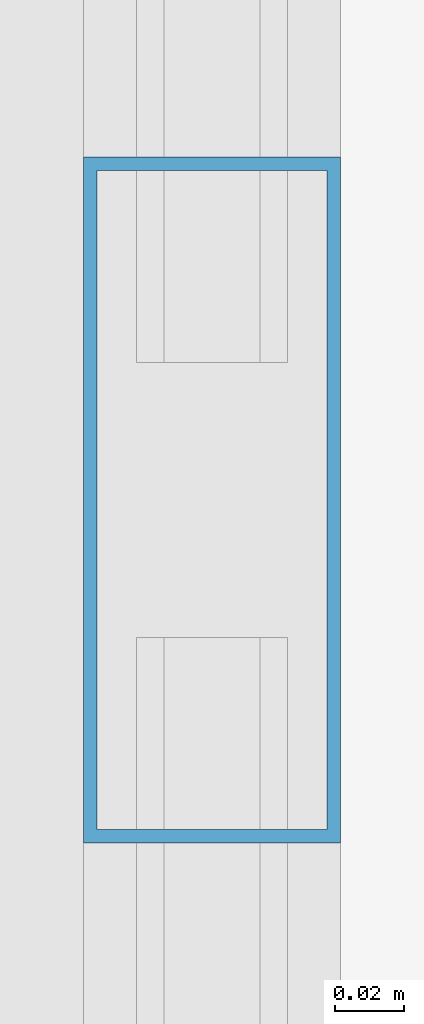
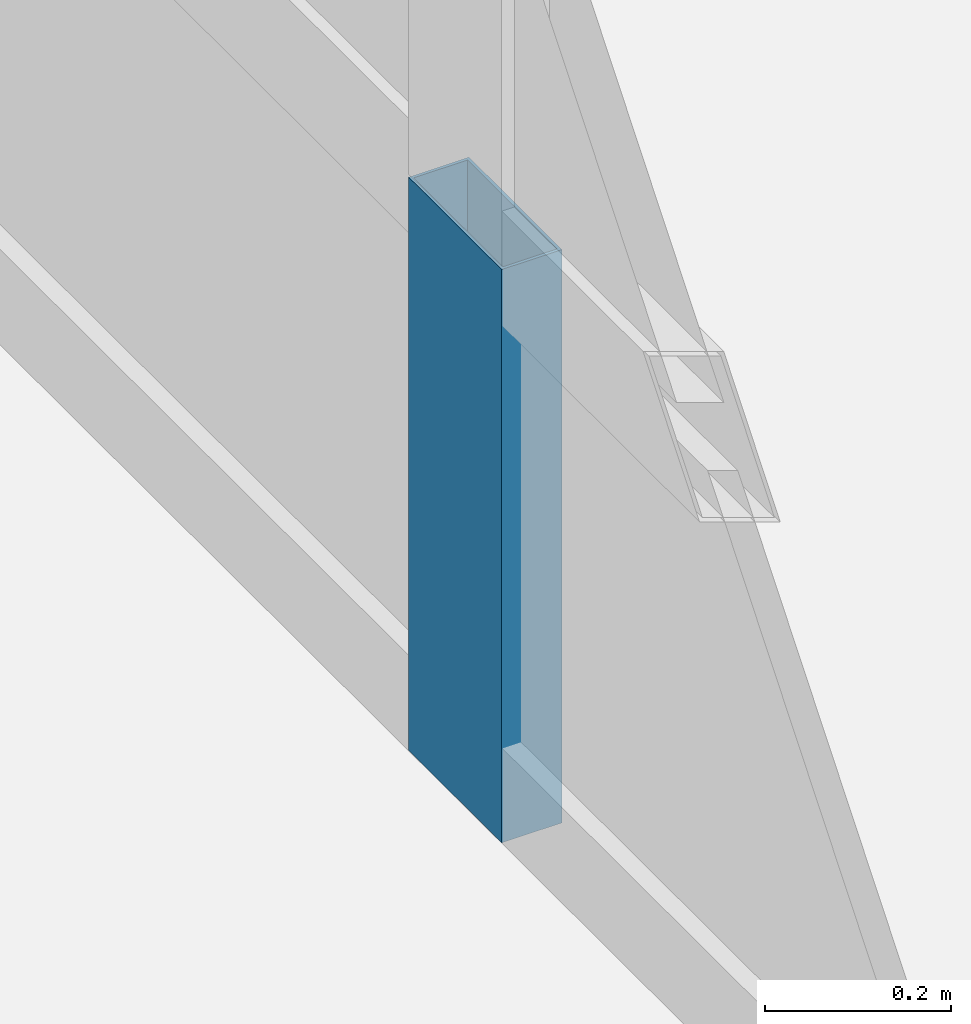
# One storey, part 22 of 35: 1 member, 1 element without a shape of its own.
"""IFC4 building model written with IfcOpenShell, lengths in metres."""

import ifcopenshell
import ifcopenshell.guid

model = None  # the IFC model being written
_history = None  # IfcOwnerHistory: only IFC2X3 demands one
_inside = {}  # id of a spatial element -> (the spatial element, [elements in it])
_under = {}  # id of a project, library or spatial element -> (it, [spatial elements below it])
_declared = {}  # id of a project -> (the project, [libraries it declares])
_typed = {}  # id of a type object -> (the type object, [elements of that type])
_made_of = {}  # id of a material, layer set ... -> (it, [elements and type objects made of it])


def new_model(schema):
    """Start an empty IFC model of exactly this schema.

    Asked for "IFC4X3", IfcOpenShell would pick the latest addendum, in which some entities
    have other attributes; the version numbers below select the first issue.
    IFC2X3 requires an IfcOwnerHistory on every rooted entity: one is made here for all.
    """
    global model, _history
    if schema == "IFC4X3":
        model = ifcopenshell.file(schema_version=(4, 3, 0, 0))
    else:
        model = ifcopenshell.file(schema=schema)
    _inside.clear()
    _under.clear()
    _declared.clear()
    _typed.clear()
    _made_of.clear()
    _history = None
    if model.schema == "IFC2X3":
        org = make("IfcOrganization", Name="unknown")
        user = make(
            "IfcPersonAndOrganization",
            ThePerson=make("IfcPerson", FamilyName="unknown"),
            TheOrganization=org,
        )
        app = make(
            "IfcApplication",
            ApplicationDeveloper=org,
            Version="unknown",
            ApplicationFullName="unknown",
            ApplicationIdentifier="unknown",
        )
        _history = make(
            "IfcOwnerHistory",
            OwningUser=user,
            OwningApplication=app,
            ChangeAction="ADDED",
            CreationDate=0,
        )
    return model


def make(cls, **values):
    """One entity of the class cls with the attributes given. An attribute that is None is left unset."""
    return model.create_entity(
        cls, **{name: value for name, value in values.items() if value is not None}
    )


def rooted(cls, **values):
    """An entity with a GlobalId (a new one), such as an element, a storey or a relation."""
    return make(cls, GlobalId=ifcopenshell.guid.new(), OwnerHistory=_history, **values)


def si_unit(unit_type, name, prefix=None):
    """IfcSIUnit, for example si_unit("LENGTHUNIT", "METRE", prefix="MILLI")."""
    return make("IfcSIUnit", UnitType=unit_type, Prefix=prefix, Name=name)


def assignment(units):
    """IfcUnitAssignment: the units of a project."""
    return None if units is None else make("IfcUnitAssignment", Units=units)


def point(xyz):
    """IfcCartesianPoint."""
    return None if xyz is None else make("IfcCartesianPoint", Coordinates=xyz)


def direction(xyz):
    """IfcDirection."""
    return None if xyz is None else make("IfcDirection", DirectionRatios=xyz)


def frame(location, z_axis=None, x_axis=None):
    """IfcAxis2Placement3D, a coordinate frame: its origin and axes. An axis left out is left unset."""
    return make(
        "IfcAxis2Placement3D",
        Location=point(location),
        Axis=direction(z_axis),
        RefDirection=direction(x_axis),
    )


def frame_2d(location, x_axis=None):
    """IfcAxis2Placement2D, a coordinate frame in the plane: its origin and x axis."""
    return make(
        "IfcAxis2Placement2D", Location=point(location), RefDirection=direction(x_axis)
    )


def origin():
    """The frame at (0, 0, 0) with its axes left unset."""
    return frame((0.0, 0.0, 0.0))


def origin_2d():
    """The frame at (0, 0) in the plane with its x axis left unset."""
    return frame_2d((0.0, 0.0))


def place(relative_to, where):
    """IfcLocalPlacement: puts the frame where relative to a parent placement (None: the world)."""
    return make(
        "IfcLocalPlacement", PlacementRelTo=relative_to, RelativePlacement=where
    )


def context(
    kind, dimensions, precision=None, world=None, true_north=None, identifier=None
):
    """IfcGeometricRepresentationContext, for example the 3D "Model" context."""
    return make(
        "IfcGeometricRepresentationContext",
        ContextIdentifier=identifier,
        ContextType=kind,
        CoordinateSpaceDimension=dimensions,
        Precision=precision,
        WorldCoordinateSystem=world,
        TrueNorth=true_north,
    )


def subcontext(parent, identifier, kind, view, scale=None):
    """IfcGeometricRepresentationSubContext, for example "Body" below "Model"."""
    return make(
        "IfcGeometricRepresentationSubContext",
        ContextIdentifier=identifier,
        ContextType=kind,
        ParentContext=parent,
        TargetScale=scale,
        TargetView=view,
    )


def project(units=None, contexts=None):
    """IfcProject with its units and contexts."""
    return rooted(
        "IfcProject",
        Name="project",
        RepresentationContexts=contexts,
        UnitsInContext=assignment(units),
    )


def spatial(cls, under=None, at=None, **own):
    """A site, building, storey or space (cls), placed at a placement, below another one or the project."""
    s = rooted(cls, ObjectPlacement=at, **own)
    if under is not None:
        _under.setdefault(under.id(), (under, []))[1].append(s)
    return s


def profile(cls, at=None, kind="AREA", **sizes):
    """A parametric profile (cls). Its sizes go by their IFC names, for example OverallWidth=200.0."""
    return make(cls, ProfileType=kind, Position=at, **sizes)


def hollow_rectangle(**sizes):
    """IfcRectangleHollowProfileDef."""
    return profile("IfcRectangleHollowProfileDef", **sizes)


def extrude(swept, where, along, depth):
    """IfcExtrudedAreaSolid: the profile swept, set in the frame where, extruded along a direction by depth."""
    return make(
        "IfcExtrudedAreaSolid",
        SweptArea=swept,
        Position=where,
        ExtrudedDirection=direction(along),
        Depth=depth,
    )


def shape(context_of_items, identifier, shape_type, items):
    """IfcShapeRepresentation: the items that make up one representation, for example the "Body"."""
    return make(
        "IfcShapeRepresentation",
        ContextOfItems=context_of_items,
        RepresentationIdentifier=identifier,
        RepresentationType=shape_type,
        Items=items,
    )


def source(mapping_origin, context_of_items, identifier, shape_type, items):
    """IfcRepresentationMap: a shape defined once, which mapped items show again and again."""
    return make(
        "IfcRepresentationMap",
        MappingOrigin=mapping_origin,
        MappedRepresentation=shape(context_of_items, identifier, shape_type, items),
    )


def transform(
    local_origin,
    x_axis=None,
    y_axis=None,
    z_axis=None,
    scale=None,
    scale2=None,
    scale3=None,
    uniform=True,
):
    """IfcCartesianTransformationOperator3D, or its non-uniform kind. x_axis, y_axis, z_axis: its Axis1, 2, 3."""
    if uniform:
        return make(
            "IfcCartesianTransformationOperator3D",
            Axis1=direction(x_axis),
            Axis2=direction(y_axis),
            LocalOrigin=point(local_origin),
            Scale=scale,
            Axis3=direction(z_axis),
        )
    return make(
        "IfcCartesianTransformationOperator3DnonUniform",
        Axis1=direction(x_axis),
        Axis2=direction(y_axis),
        LocalOrigin=point(local_origin),
        Scale=scale,
        Axis3=direction(z_axis),
        Scale2=scale2,
        Scale3=scale3,
    )


def mapped(mapping_source, mapping_target):
    """IfcMappedItem: shows the shape of a source again, moved by a transform."""
    return make(
        "IfcMappedItem", MappingSource=mapping_source, MappingTarget=mapping_target
    )


def material(Name=None, Category=None):
    """IfcMaterial."""
    return make("IfcMaterial", Name=Name, Category=Category)


def layer(
    of_material, thickness, ventilated=None, Name=None, Category=None, Priority=None
):
    """IfcMaterialLayer: one layer of a wall or slab, of a material (None: an air gap)."""
    return make(
        "IfcMaterialLayer",
        Material=of_material,
        LayerThickness=thickness,
        IsVentilated=ventilated,
        Name=Name,
        Category=Category,
        Priority=Priority,
    )


def layer_set(layers, Name=None):
    """IfcMaterialLayerSet."""
    return make("IfcMaterialLayerSet", MaterialLayers=layers, LayerSetName=Name)


def material_profile(
    of_material, cross_section, Name=None, Category=None, Priority=None
):
    """IfcMaterialProfile: a cross section and its material."""
    return make(
        "IfcMaterialProfile",
        Name=Name,
        Material=of_material,
        Profile=cross_section,
        Priority=Priority,
        Category=Category,
    )


def profile_set(profiles, Name=None, composite=None):
    """IfcMaterialProfileSet."""
    return make(
        "IfcMaterialProfileSet",
        Name=Name,
        MaterialProfiles=profiles,
        CompositeProfile=composite,
    )


def made_of(thing, what):
    """Note that an element or type object is made of a material, layer set ...; save() writes the relation."""
    if what is not None:
        _made_of.setdefault(what.id(), (what, []))[1].append(thing)
    return thing


def type_object(cls, material=None, **own):
    """A type object (cls), such as IfcWallType, which elements share."""
    return made_of(rooted(cls, **own), material)


def element(
    cls,
    number,
    at=None,
    inside=None,
    cuts=None,
    type_object=None,
    material=None,
    context=None,
    identifier="Body",
    shape_type=None,
    held_by="IfcProductDefinitionShape",
    body=None,
    shapes=None,
    **own,
):
    """One element of the class cls, such as IfcWall. Its Tag is "e" and its number.

    at: its placement. inside: the storey or other place that contains it. cuts: it is an
    opening in that element (IfcRelVoidsElement). A single representation is given by context,
    identifier, shape_type and body (its items); several are given by shapes. held_by: the class
    of the entity that holds the representations. save() writes the other relations.
    """
    e = rooted(cls, Tag="e%d" % number, ObjectPlacement=at, **own)
    if body is not None:
        shapes = [shape(context, identifier, shape_type, body)]
    if shapes is not None:
        e.Representation = make(held_by, Representations=shapes)
    if inside is not None:
        _inside.setdefault(inside.id(), (inside, []))[1].append(e)
    if cuts is not None:
        rooted(
            "IfcRelVoidsElement", RelatingBuildingElement=cuts, RelatedOpeningElement=e
        )
    if type_object is not None:
        _typed.setdefault(type_object.id(), (type_object, []))[1].append(e)
    return made_of(e, material)


def aggregate(whole, parts):
    """IfcRelAggregates: a whole, such as a stair, and the parts it consists of."""
    return rooted("IfcRelAggregates", RelatingObject=whole, RelatedObjects=parts)


def save(model, path):
    """Write the relations noted so far, then the file.

    IfcRelAggregates (storeys below a building ...), IfcRelContainedInSpatialStructure (elements
    in a storey), IfcRelDefinesByType, IfcRelAssociatesMaterial and IfcRelDeclares: one each for
    every whole, place, type object, material and project.
    """
    for whole, parts in _under.values():
        aggregate(whole, parts)
    for where, things in _inside.values():
        rooted(
            "IfcRelContainedInSpatialStructure",
            RelatedElements=things,
            RelatingStructure=where,
        )
    for kind, things in _typed.values():
        rooted("IfcRelDefinesByType", RelatedObjects=things, RelatingType=kind)
    for what, things in _made_of.values():
        rooted("IfcRelAssociatesMaterial", RelatedObjects=things, RelatingMaterial=what)
    for by, libraries in _declared.values():
        rooted("IfcRelDeclares", RelatingContext=by, RelatedDefinitions=libraries)
    model.write(path)


model = new_model("IFC4")

# Units and contexts
model_context = context("Model", 3, precision=1e-05, world=origin(), true_north=direction((0.0, 1.0)))
body_context = subcontext(model_context, "Body", "Model", "MODEL_VIEW")
ifc_project = project(units=[si_unit("LENGTHUNIT", "METRE"), si_unit("AREAUNIT", "SQUARE_METRE"), si_unit("VOLUMEUNIT", "CUBIC_METRE"), si_unit("PLANEANGLEUNIT", "RADIAN"), si_unit("MASSUNIT", "GRAM", prefix="KILO"), si_unit("THERMODYNAMICTEMPERATUREUNIT", "KELVIN"), si_unit("POWERUNIT", "WATT")], contexts=[model_context])

# Site, building, storey
site_placement = place(None, origin())
site = spatial("IfcSite", under=ifc_project, at=site_placement, CompositionType="ELEMENT")
building_placement = place(site_placement, origin())
building = spatial("IfcBuilding", under=site, at=building_placement, Name="Yuzanri Waterfront Tower", CompositionType="ELEMENT")
storey_placement = place(building_placement, frame((0.0, 0.0, 289.10009765625)))
storey = spatial("IfcBuildingStorey", under=building, at=storey_placement, Name="L77", CompositionType="ELEMENT", Elevation=289.10009765625)

# Curtain wall, member
ifc_material_1 = material(Name="Anodized Architectural Bronze", Category="metal")
ifc_layer = layer(ifc_material_1, 0.159912109375)
ifc_layer_set = layer_set([ifc_layer], Name="Anodized Architectural Bronze")
curtain_wall_type = type_object("IfcCurtainWallType", Name="Anodized Bronze High-Rise Penthouse High-Wind Unitized Curtain Wall 6900", PredefinedType="NOTDEFINED", material=ifc_layer_set)
curtain_wall_placement = place(storey_placement, origin())
curtain_wall = element("IfcCurtainWall", 1, at=curtain_wall_placement, inside=storey, type_object=curtain_wall_type, Name="L77 Curtain Wall CW-L77-WL", PredefinedType="NOTDEFINED")
ifc_material_2 = material(Name="Anodized Architectural Bronze", Category="metal")
ifc_material_profile = material_profile(ifc_material_2, hollow_rectangle(XDim=0.074951171875, YDim=0.199951171875, WallThickness=0.00390625, at=origin_2d()), Name="CWM 75x200")
ifc_profile_set = profile_set([ifc_material_profile], Name="Anodized Architectural Bronze")
member_type = type_object("IfcMemberType", Name="Anodized Bronze Primary Curtain-Wall Mullion 75x200", PredefinedType="MULLION", material=ifc_profile_set)
shared_shape = source(origin(), body_context, "Body", "SweptSolid", [
    extrude(hollow_rectangle(XDim=0.074951171875, YDim=0.199951171875, WallThickness=0.00390625, at=origin_2d()), origin(), (0.0, 0.0, 1.0), 0.751953125),
])
member_placement = place(storey_placement, frame((18.050048828125, 19.75, 0.0), z_axis=(0.0, 0.0, 1.0), x_axis=(1.0, 0.0, 0.0)))
member = element("IfcMember", 2, at=member_placement, type_object=member_type, Name="CW-L77-WL Lower Mullion 01", PredefinedType="MULLION", context=body_context, shape_type="MappedRepresentation", body=[
    mapped(shared_shape, transform((0.0, 0.0, 0.0), scale=1.0)),
])
aggregate(curtain_wall, [member])

save(model, "model.ifc")
